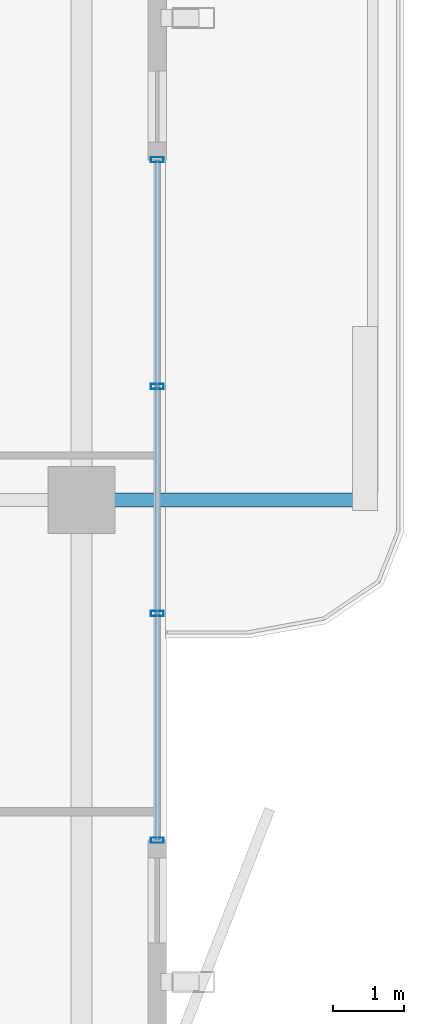
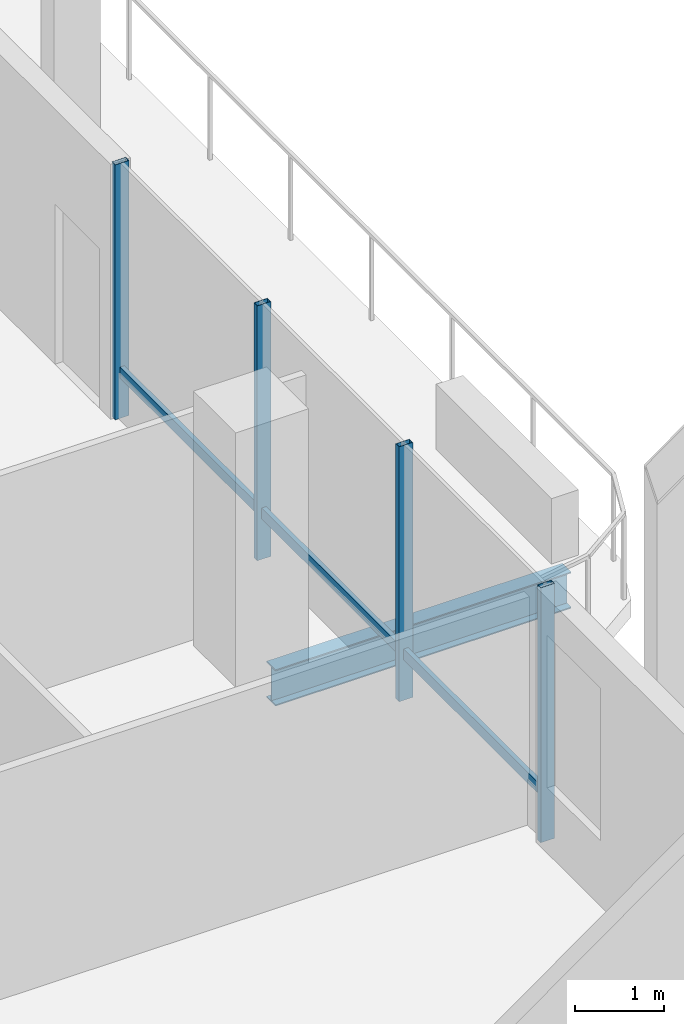
# One storey, part 9 of 20: 7 members, 1 beam, 1 element without a shape of its own.
"""IFC4 building model written with IfcOpenShell, lengths in metres."""

import ifcopenshell
import ifcopenshell.guid

model = None  # the IFC model being written
_history = None  # IfcOwnerHistory: only IFC2X3 demands one
_inside = {}  # id of a spatial element -> (the spatial element, [elements in it])
_under = {}  # id of a project, library or spatial element -> (it, [spatial elements below it])
_declared = {}  # id of a project -> (the project, [libraries it declares])
_typed = {}  # id of a type object -> (the type object, [elements of that type])
_made_of = {}  # id of a material, layer set ... -> (it, [elements and type objects made of it])


def new_model(schema):
    """Start an empty IFC model of exactly this schema.

    Asked for "IFC4X3", IfcOpenShell would pick the latest addendum, in which some entities
    have other attributes; the version numbers below select the first issue.
    IFC2X3 requires an IfcOwnerHistory on every rooted entity: one is made here for all.
    """
    global model, _history
    if schema == "IFC4X3":
        model = ifcopenshell.file(schema_version=(4, 3, 0, 0))
    else:
        model = ifcopenshell.file(schema=schema)
    _inside.clear()
    _under.clear()
    _declared.clear()
    _typed.clear()
    _made_of.clear()
    _history = None
    if model.schema == "IFC2X3":
        org = make("IfcOrganization", Name="unknown")
        user = make(
            "IfcPersonAndOrganization",
            ThePerson=make("IfcPerson", FamilyName="unknown"),
            TheOrganization=org,
        )
        app = make(
            "IfcApplication",
            ApplicationDeveloper=org,
            Version="unknown",
            ApplicationFullName="unknown",
            ApplicationIdentifier="unknown",
        )
        _history = make(
            "IfcOwnerHistory",
            OwningUser=user,
            OwningApplication=app,
            ChangeAction="ADDED",
            CreationDate=0,
        )
    return model


def make(cls, **values):
    """One entity of the class cls with the attributes given. An attribute that is None is left unset."""
    return model.create_entity(
        cls, **{name: value for name, value in values.items() if value is not None}
    )


def rooted(cls, **values):
    """An entity with a GlobalId (a new one), such as an element, a storey or a relation."""
    return make(cls, GlobalId=ifcopenshell.guid.new(), OwnerHistory=_history, **values)


def si_unit(unit_type, name, prefix=None):
    """IfcSIUnit, for example si_unit("LENGTHUNIT", "METRE", prefix="MILLI")."""
    return make("IfcSIUnit", UnitType=unit_type, Prefix=prefix, Name=name)


def assignment(units):
    """IfcUnitAssignment: the units of a project."""
    return None if units is None else make("IfcUnitAssignment", Units=units)


def point(xyz):
    """IfcCartesianPoint."""
    return None if xyz is None else make("IfcCartesianPoint", Coordinates=xyz)


def direction(xyz):
    """IfcDirection."""
    return None if xyz is None else make("IfcDirection", DirectionRatios=xyz)


def frame(location, z_axis=None, x_axis=None):
    """IfcAxis2Placement3D, a coordinate frame: its origin and axes. An axis left out is left unset."""
    return make(
        "IfcAxis2Placement3D",
        Location=point(location),
        Axis=direction(z_axis),
        RefDirection=direction(x_axis),
    )


def frame_2d(location, x_axis=None):
    """IfcAxis2Placement2D, a coordinate frame in the plane: its origin and x axis."""
    return make(
        "IfcAxis2Placement2D", Location=point(location), RefDirection=direction(x_axis)
    )


def origin():
    """The frame at (0, 0, 0) with its axes left unset."""
    return frame((0.0, 0.0, 0.0))


def origin_2d():
    """The frame at (0, 0) in the plane with its x axis left unset."""
    return frame_2d((0.0, 0.0))


def place(relative_to, where):
    """IfcLocalPlacement: puts the frame where relative to a parent placement (None: the world)."""
    return make(
        "IfcLocalPlacement", PlacementRelTo=relative_to, RelativePlacement=where
    )


def context(
    kind, dimensions, precision=None, world=None, true_north=None, identifier=None
):
    """IfcGeometricRepresentationContext, for example the 3D "Model" context."""
    return make(
        "IfcGeometricRepresentationContext",
        ContextIdentifier=identifier,
        ContextType=kind,
        CoordinateSpaceDimension=dimensions,
        Precision=precision,
        WorldCoordinateSystem=world,
        TrueNorth=true_north,
    )


def subcontext(parent, identifier, kind, view, scale=None):
    """IfcGeometricRepresentationSubContext, for example "Body" below "Model"."""
    return make(
        "IfcGeometricRepresentationSubContext",
        ContextIdentifier=identifier,
        ContextType=kind,
        ParentContext=parent,
        TargetScale=scale,
        TargetView=view,
    )


def project(units=None, contexts=None):
    """IfcProject with its units and contexts."""
    return rooted(
        "IfcProject",
        Name="project",
        RepresentationContexts=contexts,
        UnitsInContext=assignment(units),
    )


def spatial(cls, under=None, at=None, **own):
    """A site, building, storey or space (cls), placed at a placement, below another one or the project."""
    s = rooted(cls, ObjectPlacement=at, **own)
    if under is not None:
        _under.setdefault(under.id(), (under, []))[1].append(s)
    return s


def profile(cls, at=None, kind="AREA", **sizes):
    """A parametric profile (cls). Its sizes go by their IFC names, for example OverallWidth=200.0."""
    return make(cls, ProfileType=kind, Position=at, **sizes)


def hollow_rectangle(**sizes):
    """IfcRectangleHollowProfileDef."""
    return profile("IfcRectangleHollowProfileDef", **sizes)


def i_section(**sizes):
    """IfcIShapeProfileDef."""
    return profile("IfcIShapeProfileDef", **sizes)


def extrude(swept, where, along, depth):
    """IfcExtrudedAreaSolid: the profile swept, set in the frame where, extruded along a direction by depth."""
    return make(
        "IfcExtrudedAreaSolid",
        SweptArea=swept,
        Position=where,
        ExtrudedDirection=direction(along),
        Depth=depth,
    )


def shape(context_of_items, identifier, shape_type, items):
    """IfcShapeRepresentation: the items that make up one representation, for example the "Body"."""
    return make(
        "IfcShapeRepresentation",
        ContextOfItems=context_of_items,
        RepresentationIdentifier=identifier,
        RepresentationType=shape_type,
        Items=items,
    )


def material(Name=None, Category=None):
    """IfcMaterial."""
    return make("IfcMaterial", Name=Name, Category=Category)


def layer(
    of_material, thickness, ventilated=None, Name=None, Category=None, Priority=None
):
    """IfcMaterialLayer: one layer of a wall or slab, of a material (None: an air gap)."""
    return make(
        "IfcMaterialLayer",
        Material=of_material,
        LayerThickness=thickness,
        IsVentilated=ventilated,
        Name=Name,
        Category=Category,
        Priority=Priority,
    )


def layer_set(layers, Name=None):
    """IfcMaterialLayerSet."""
    return make("IfcMaterialLayerSet", MaterialLayers=layers, LayerSetName=Name)


def material_profile(
    of_material, cross_section, Name=None, Category=None, Priority=None
):
    """IfcMaterialProfile: a cross section and its material."""
    return make(
        "IfcMaterialProfile",
        Name=Name,
        Material=of_material,
        Profile=cross_section,
        Priority=Priority,
        Category=Category,
    )


def profile_set(profiles, Name=None, composite=None):
    """IfcMaterialProfileSet."""
    return make(
        "IfcMaterialProfileSet",
        Name=Name,
        MaterialProfiles=profiles,
        CompositeProfile=composite,
    )


def made_of(thing, what):
    """Note that an element or type object is made of a material, layer set ...; save() writes the relation."""
    if what is not None:
        _made_of.setdefault(what.id(), (what, []))[1].append(thing)
    return thing


def type_object(cls, material=None, **own):
    """A type object (cls), such as IfcWallType, which elements share."""
    return made_of(rooted(cls, **own), material)


def element(
    cls,
    number,
    at=None,
    inside=None,
    cuts=None,
    type_object=None,
    material=None,
    context=None,
    identifier="Body",
    shape_type=None,
    held_by="IfcProductDefinitionShape",
    body=None,
    shapes=None,
    **own,
):
    """One element of the class cls, such as IfcWall. Its Tag is "e" and its number.

    at: its placement. inside: the storey or other place that contains it. cuts: it is an
    opening in that element (IfcRelVoidsElement). A single representation is given by context,
    identifier, shape_type and body (its items); several are given by shapes. held_by: the class
    of the entity that holds the representations. save() writes the other relations.
    """
    e = rooted(cls, Tag="e%d" % number, ObjectPlacement=at, **own)
    if body is not None:
        shapes = [shape(context, identifier, shape_type, body)]
    if shapes is not None:
        e.Representation = make(held_by, Representations=shapes)
    if inside is not None:
        _inside.setdefault(inside.id(), (inside, []))[1].append(e)
    if cuts is not None:
        rooted(
            "IfcRelVoidsElement", RelatingBuildingElement=cuts, RelatedOpeningElement=e
        )
    if type_object is not None:
        _typed.setdefault(type_object.id(), (type_object, []))[1].append(e)
    return made_of(e, material)


def aggregate(whole, parts):
    """IfcRelAggregates: a whole, such as a stair, and the parts it consists of."""
    return rooted("IfcRelAggregates", RelatingObject=whole, RelatedObjects=parts)


def save(model, path):
    """Write the relations noted so far, then the file.

    IfcRelAggregates (storeys below a building ...), IfcRelContainedInSpatialStructure (elements
    in a storey), IfcRelDefinesByType, IfcRelAssociatesMaterial and IfcRelDeclares: one each for
    every whole, place, type object, material and project.
    """
    for whole, parts in _under.values():
        aggregate(whole, parts)
    for where, things in _inside.values():
        rooted(
            "IfcRelContainedInSpatialStructure",
            RelatedElements=things,
            RelatingStructure=where,
        )
    for kind, things in _typed.values():
        rooted("IfcRelDefinesByType", RelatedObjects=things, RelatingType=kind)
    for what, things in _made_of.values():
        rooted("IfcRelAssociatesMaterial", RelatedObjects=things, RelatingMaterial=what)
    for by, libraries in _declared.values():
        rooted("IfcRelDeclares", RelatingContext=by, RelatedDefinitions=libraries)
    model.write(path)


model = new_model("IFC4")

# Units and contexts
model_context = context("Model", 3, precision=1e-05, world=origin(), true_north=direction((0.0, 1.0)))
body_context = subcontext(model_context, "Body", "Model", "MODEL_VIEW")
ifc_project = project(units=[si_unit("LENGTHUNIT", "METRE"), si_unit("AREAUNIT", "SQUARE_METRE"), si_unit("VOLUMEUNIT", "CUBIC_METRE"), si_unit("PLANEANGLEUNIT", "RADIAN"), si_unit("MASSUNIT", "GRAM", prefix="KILO")], contexts=[model_context])

# Site, building, storey
site_placement = place(None, origin())
site = spatial("IfcSite", under=ifc_project, at=site_placement, CompositionType="ELEMENT")
building_placement = place(site_placement, origin())
building = spatial("IfcBuilding", under=site, at=building_placement, Name="Belovzor Exchange Tower", CompositionType="ELEMENT")
storey_placement = place(building_placement, frame((0.0, 0.0, 306.75)))
storey = spatial("IfcBuildingStorey", under=building, at=storey_placement, Name="L76", CompositionType="ELEMENT", Elevation=306.75)

# Beam
ifc_material_1 = material(Name="Steel S355", Category="steel")
ifc_material_profile_1 = material_profile(ifc_material_1, i_section(OverallWidth=0.199951171875, OverallDepth=0.5, WebThickness=0.01025390625, FlangeThickness=0.01611328125, at=origin_2d()))
ifc_profile_set_1 = profile_set([ifc_material_profile_1], Name="Steel S355")
beam_type = type_object("IfcBeamType", Name="Planted Balcony Cantilever Beam IPE 500", PredefinedType="BEAM", material=ifc_profile_set_1)
beam_placement = place(storey_placement, frame((50.660888671875, 28.800048828125, -0.489990234375), z_axis=(1.0, 0.0, 0.0), x_axis=(0.0, 1.0, 0.0)))
element("IfcBeam", 1, at=beam_placement, inside=storey, type_object=beam_type, Name="BC-500 Planted Balcony Cantilever Beam IPE 500", PredefinedType="BEAM", context=body_context, shape_type="SweptSolid", body=[
    extrude(i_section(OverallWidth=0.199951171875, OverallDepth=0.5, WebThickness=0.01025390625, FlangeThickness=0.01611328125, at=origin_2d()), origin(), (0.0, 0.0, 1.0), 3.85009765625),
])

# Curtain wall, members
ifc_material_2 = material(Name="Anodised Aluminium Framing", Category="aluminium")
ifc_layer = layer(ifc_material_2, 0.179931640625)
ifc_layer_set = layer_set([ifc_layer], Name="Anodised Aluminium Framing")
curtain_wall_type = type_object("IfcCurtainWallType", Name="Recessed Loggia Low-Iron Triple-Glazed Curtain Wall", PredefinedType="NOTDEFINED", material=ifc_layer_set)
curtain_wall_placement = place(storey_placement, origin())
curtain_wall = element("IfcCurtainWall", 2, at=curtain_wall_placement, inside=storey, type_object=curtain_wall_type, Name="CW3 Recessed Loggia Low-Iron Triple-Glazed Curtain Wall L76", PredefinedType="NOTDEFINED")
ifc_material_3 = material(Name="Steel S355", Category="steel")
ifc_material_profile_2 = material_profile(ifc_material_3, hollow_rectangle(XDim=0.074951171875, YDim=0.179931640625, WallThickness=0.0048828125, at=origin_2d()))
ifc_profile_set_2 = profile_set([ifc_material_profile_2], Name="Steel S355")
member_type_1 = type_object("IfcMemberType", Name="Thermally Broken Curtain Wall Mullion 180x75", PredefinedType="MULLION", material=ifc_profile_set_2)
member_1_placement = place(storey_placement, frame((51.469970703125, 33.60009765625, 0.0), z_axis=(0.0, 0.0, 1.0), x_axis=(0.0, -1.0, 0.0)))
member_1 = element("IfcMember", 3, at=member_1_placement, type_object=member_type_1, Name="CW-M180 Curtain Wall Mullion 1", PredefinedType="MULLION", context=body_context, shape_type="SweptSolid", body=[
    extrude(hollow_rectangle(XDim=0.074951171875, YDim=0.179931640625, WallThickness=0.0048828125, at=origin_2d()), origin(), (0.0, 0.0, 1.0), 3.510009765625),
])
member_2_placement = place(storey_placement, frame((51.469970703125, 30.39990234375, 0.0), z_axis=(0.0, 0.0, 1.0), x_axis=(0.0, -1.0, 0.0)))
member_2 = element("IfcMember", 4, at=member_2_placement, type_object=member_type_1, Name="CW-M180 Curtain Wall Mullion 2", PredefinedType="MULLION", context=body_context, shape_type="SweptSolid", body=[
    extrude(hollow_rectangle(XDim=0.074951171875, YDim=0.179931640625, WallThickness=0.0048828125, at=origin_2d()), origin(), (0.0, 0.0, 1.0), 3.510009765625),
])
member_3_placement = place(storey_placement, frame((51.469970703125, 27.199951171875, 0.0), z_axis=(0.0, 0.0, 1.0), x_axis=(0.0, -1.0, 0.0)))
member_3 = element("IfcMember", 5, at=member_3_placement, type_object=member_type_1, Name="CW-M180 Curtain Wall Mullion 3", PredefinedType="MULLION", context=body_context, shape_type="SweptSolid", body=[
    extrude(hollow_rectangle(XDim=0.074951171875, YDim=0.179931640625, WallThickness=0.0048828125, at=origin_2d()), origin(), (0.0, 0.0, 1.0), 3.510009765625),
])
member_4_placement = place(storey_placement, frame((51.469970703125, 24.0, 0.0), z_axis=(0.0, 0.0, 1.0), x_axis=(0.0, -1.0, 0.0)))
member_4 = element("IfcMember", 6, at=member_4_placement, type_object=member_type_1, Name="CW-M180 Curtain Wall Mullion 4", PredefinedType="MULLION", context=body_context, shape_type="SweptSolid", body=[
    extrude(hollow_rectangle(XDim=0.074951171875, YDim=0.179931640625, WallThickness=0.0048828125, at=origin_2d()), origin(), (0.0, 0.0, 1.0), 3.510009765625),
])
ifc_material_4 = material(Name="Steel S355", Category="steel")
ifc_material_profile_3 = material_profile(ifc_material_4, hollow_rectangle(XDim=0.06005859375, YDim=0.14990234375, WallThickness=0.00390625, at=origin_2d()))
ifc_profile_set_3 = profile_set([ifc_material_profile_3], Name="Steel S355")
member_type_2 = type_object("IfcMemberType", Name="Thermally Broken Curtain Wall Transom 150x60", PredefinedType="USERDEFINED", material=ifc_profile_set_3)
member_5_placement = place(storey_placement, frame((51.469970703125, 33.592041015625, 0.632080078125), z_axis=(0.0, -1.0, 0.0), x_axis=(1.0, 0.0, 0.0)))
member_5 = element("IfcMember", 7, at=member_5_placement, type_object=member_type_2, Name="CW-T150 Curtain Wall Transom 1", ObjectType="TRANSOM", PredefinedType="USERDEFINED", context=body_context, shape_type="SweptSolid", body=[
    extrude(hollow_rectangle(XDim=0.06005859375, YDim=0.14990234375, WallThickness=0.00390625, at=origin_2d()), origin(), (0.0, 0.0, 1.0), 3.18408203125),
])
member_6_placement = place(storey_placement, frame((51.469970703125, 30.39208984375, 0.632080078125), z_axis=(0.0, -1.0, 0.0), x_axis=(1.0, 0.0, 0.0)))
member_6 = element("IfcMember", 8, at=member_6_placement, type_object=member_type_2, Name="CW-T150 Curtain Wall Transom 2", ObjectType="TRANSOM", PredefinedType="USERDEFINED", context=body_context, shape_type="SweptSolid", body=[
    extrude(hollow_rectangle(XDim=0.06005859375, YDim=0.14990234375, WallThickness=0.00390625, at=origin_2d()), origin(), (0.0, 0.0, 1.0), 3.18408203125),
])
member_7_placement = place(storey_placement, frame((51.469970703125, 27.19189453125, 0.632080078125), z_axis=(0.0, -1.0, 0.0), x_axis=(1.0, 0.0, 0.0)))
member_7 = element("IfcMember", 9, at=member_7_placement, type_object=member_type_2, Name="CW-T150 Curtain Wall Transom 3", ObjectType="TRANSOM", PredefinedType="USERDEFINED", context=body_context, shape_type="SweptSolid", body=[
    extrude(hollow_rectangle(XDim=0.06005859375, YDim=0.14990234375, WallThickness=0.00390625, at=origin_2d()), origin(), (0.0, 0.0, 1.0), 3.183837890625),
])
aggregate(curtain_wall, [member_1, member_2, member_3, member_4, member_5, member_6, member_7])

save(model, "model.ifc")
